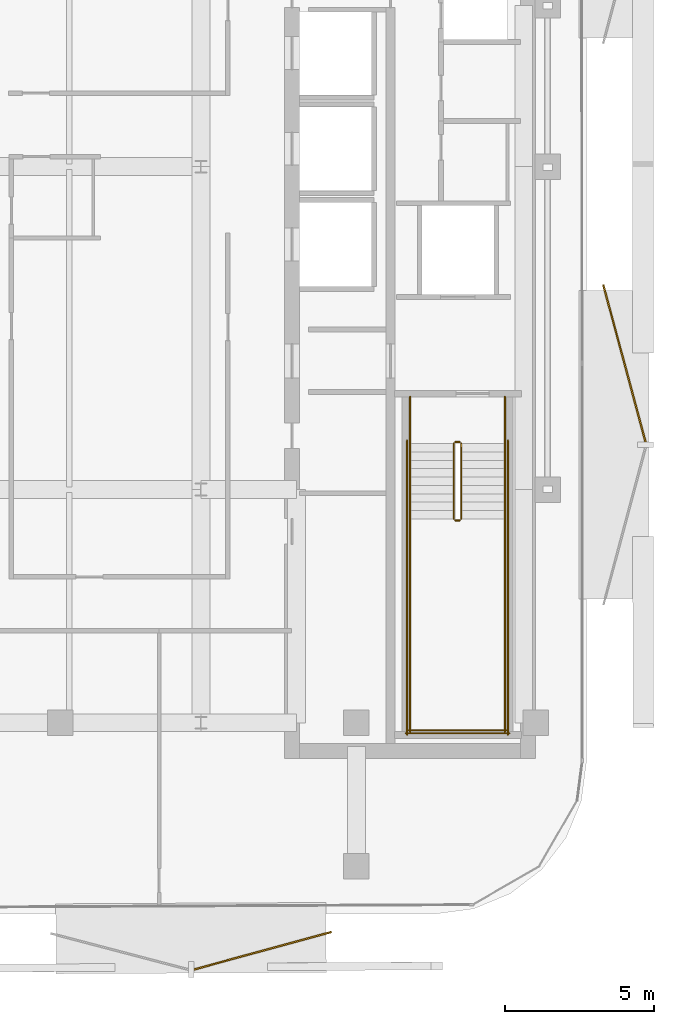
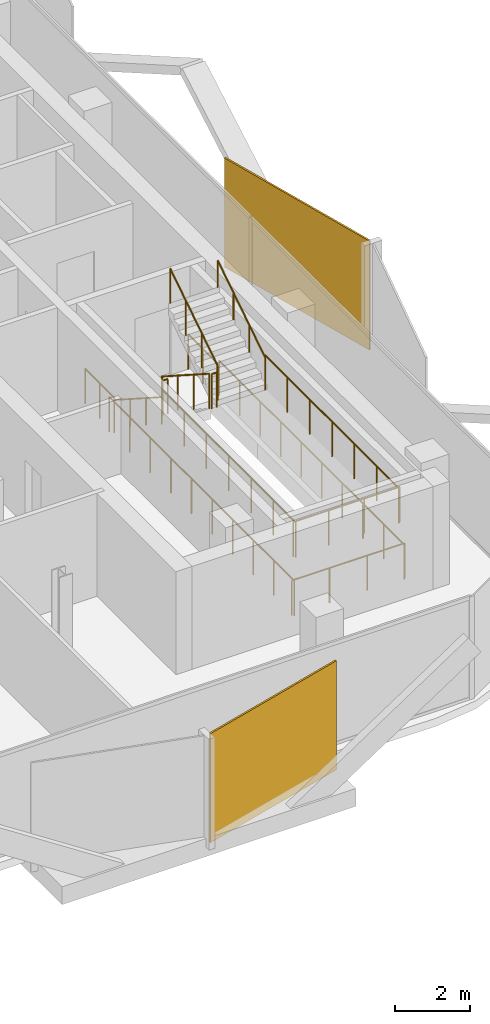
# One storey, part 13 of 14: 14 railings, 2 coverings.
"""IFC4 building model written with IfcOpenShell, lengths in metres."""

from ifc_helpers import new_model, si_unit, direction, frame, origin, origin_2d, place, context, subcontext, project, spatial, rectangle, circle, extrude, material, layer, layer_set, type_object, element, save


model = new_model("IFC4")

# Units and contexts
model_context = context("Model", 3, precision=1e-05, world=origin(), true_north=direction((0.0, 1.0)))
body_context = subcontext(model_context, "Body", "Model", "MODEL_VIEW")
ifc_project = project(units=[si_unit("LENGTHUNIT", "METRE"), si_unit("AREAUNIT", "SQUARE_METRE"), si_unit("VOLUMEUNIT", "CUBIC_METRE"), si_unit("PLANEANGLEUNIT", "RADIAN"), si_unit("MASSUNIT", "GRAM", prefix="KILO")], contexts=[model_context])

# Site, building, storey
site_placement = place(None, origin())
site = spatial("IfcSite", under=ifc_project, at=site_placement, CompositionType="ELEMENT")
building_placement = place(site_placement, origin())
building = spatial("IfcBuilding", under=site, at=building_placement, Name="Khairoan Windgate Tower", CompositionType="ELEMENT")
storey_placement = place(building_placement, frame((0.0, 0.0, 240.39990234375)))
storey = spatial("IfcBuildingStorey", under=building, at=storey_placement, Name="L56", CompositionType="ELEMENT", Elevation=240.39990234375)

# Coverings
ifc_material_1 = material(Name="Anodised Bronze Aluminium 6063-T6", Category="aluminium")
ifc_layer = layer(ifc_material_1, 0.054931640625, Name="Anodised Bronze Aluminium 6063-T6")
ifc_layer_set = layer_set([ifc_layer], Name="Anodised Bronze Aluminium 6063-T6")
covering_type = type_object("IfcCoveringType", Name="Perforated Bronze-Ceramic Folded Solar Screen Cladding BSC-1", PredefinedType="CLADDING", material=ifc_layer_set)
covering_1_placement = place(storey_placement, frame((11.264404296875, -26.226806640625, -0.099853515625), z_axis=(0.0, 0.0, 1.0), x_axis=(-0.964649468762, -0.263536339841, 0.0)))
element("IfcCovering", 1, at=covering_1_placement, inside=storey, type_object=covering_type, Name="L56 Folded Bronze Solar Screen Facet 377L", PredefinedType="CLADDING", context=body_context, shape_type="SweptSolid", body=[
    extrude(rectangle(XDim=4.76708984375, YDim=0.054931640625, at=origin_2d()), origin(), (0.0, 0.0, 1.0), 3.5400390625),
])
covering_2_placement = place(storey_placement, frame((23.36767578125, -6.580810546875, -0.099853515625), z_axis=(0.0, 0.0, 1.0), x_axis=(0.259324767181, -0.965790176553, 0.0)))
element("IfcCovering", 2, at=covering_2_placement, inside=storey, type_object=covering_type, Name="L56 Folded Bronze Solar Screen Facet 384L", PredefinedType="CLADDING", context=body_context, shape_type="SweptSolid", body=[
    extrude(rectangle(XDim=5.446044921875, YDim=0.054931640625, at=origin_2d()), origin(), (0.0, 0.0, 1.0), 3.5400390625),
])

# Railings
ifc_material_2 = material(Name="Anodised Bronze Aluminium 6063-T6", Category="aluminium")
railing_type_1 = type_object("IfcRailingType", Name="Stair Wall Handrail SHR-900", PredefinedType="HANDRAIL", material=ifc_material_2)
railing_1_placement = place(storey_placement, frame((16.199951171875, -9.260009765625, 0.18017578125)))
element("IfcRailing", 3, at=railing_1_placement, inside=storey, type_object=railing_type_1, Name="L56 ST1 stair handrail 1", PredefinedType="HANDRAIL", context=body_context, shape_type="SweptSolid", body=[
    extrude(circle(Radius=0.02392578125, at=origin_2d()), frame((0.0, 0.0, 0.8759765625), z_axis=(0.0, -0.841199657755, 0.540724639528), x_axis=(1.0, 0.0, 0.0)), (0.0, 0.0, 1.0), 2.995849609375),
    extrude(circle(Radius=0.02099609375, at=origin_2d()), origin(), (0.0, 0.0, 1.0), 0.851806640625),
    extrude(circle(Radius=0.02099609375, at=origin_2d()), frame((0.0, -0.840087890625, 0.5400390625)), (0.0, 0.0, 1.0), 0.851806640625),
    extrude(circle(Radius=0.02099609375, at=origin_2d()), frame((0.0, -1.679931640625, 1.079833984375)), (0.0, 0.0, 1.0), 0.851806640625),
    extrude(circle(Radius=0.02099609375, at=origin_2d()), frame((0.0, -2.52001953125, 1.619873046875)), (0.0, 0.0, 1.0), 0.851806640625),
])
railing_2_placement = place(storey_placement, frame((19.3701171875, -11.780029296875, 1.97998046875)))
element("IfcRailing", 4, at=railing_2_placement, inside=storey, type_object=railing_type_1, Name="L56 ST1 stair handrail 2", PredefinedType="HANDRAIL", context=body_context, shape_type="SweptSolid", body=[
    extrude(circle(Radius=0.02392578125, at=origin_2d()), frame((0.0, 0.0, 0.8759765625), z_axis=(0.0, 0.841162588446, 0.540782303519), x_axis=(-1.0, 0.0, 0.0)), (0.0, 0.0, 1.0), 2.995849609375),
    extrude(circle(Radius=0.02099609375, at=origin_2d()), origin(), (0.0, 0.0, 1.0), 0.851806640625),
    extrude(circle(Radius=0.02099609375, at=origin_2d()), frame((0.0, 0.840087890625, 0.5400390625)), (0.0, 0.0, 1.0), 0.851806640625),
    extrude(circle(Radius=0.02099609375, at=origin_2d()), frame((0.0, 1.679931640625, 1.080078125)), (0.0, 0.0, 1.0), 0.851806640625),
    extrude(circle(Radius=0.02099609375, at=origin_2d()), frame((0.0, 2.52001953125, 1.6201171875)), (0.0, 0.0, 1.0), 0.851806640625),
])
ifc_material_3 = material(Name="Steel S355", Category="steel")
railing_type_2 = type_object("IfcRailingType", Name="Stairwell Safety Guardrail SGR-1150", PredefinedType="GUARDRAIL", material=ifc_material_3)
railing_3_placement = place(storey_placement, frame((17.659912109375, -9.260009765625, 0.18017578125)))
element("IfcRailing", 5, at=railing_3_placement, inside=storey, type_object=railing_type_2, Name="L56 ST1 stair guard 1", PredefinedType="GUARDRAIL", context=body_context, shape_type="SweptSolid", body=[
    extrude(circle(Radius=0.02392578125, at=origin_2d()), frame((0.0, 0.0, 1.1259765625), z_axis=(0.0, -0.841199657755, 0.540724639528), x_axis=(1.0, 0.0, 0.0)), (0.0, 0.0, 1.0), 2.995849609375),
    extrude(circle(Radius=0.02099609375, at=origin_2d()), origin(), (0.0, 0.0, 1.0), 1.101806640625),
    extrude(circle(Radius=0.02099609375, at=origin_2d()), frame((0.0, -0.840087890625, 0.5400390625)), (0.0, 0.0, 1.0), 1.101806640625),
    extrude(circle(Radius=0.02099609375, at=origin_2d()), frame((0.0, -1.679931640625, 1.079833984375)), (0.0, 0.0, 1.0), 1.101806640625),
    extrude(circle(Radius=0.02099609375, at=origin_2d()), frame((0.0, -2.52001953125, 1.619873046875)), (0.0, 0.0, 1.0), 1.101806640625),
])
railing_4_placement = place(storey_placement, frame((17.7099609375, -11.830078125, 1.800048828125)))
element("IfcRailing", 6, at=railing_4_placement, inside=storey, type_object=railing_type_2, Name="L56 ST1 stair guard 2", PredefinedType="GUARDRAIL", context=body_context, shape_type="SweptSolid", body=[
    extrude(circle(Radius=0.02392578125, at=origin_2d()), frame((0.0, 0.0, 1.1259765625), z_axis=(1.0, 0.0, 0.0), x_axis=(0.0, 1.0, 0.0)), (0.0, 0.0, 1.0), 0.150146484375),
    extrude(circle(Radius=0.02099609375, at=origin_2d()), origin(), (0.0, 0.0, 1.0), 1.101806640625),
    extrude(circle(Radius=0.02099609375, at=origin_2d()), frame((0.150146484375, 0.0, 0.0)), (0.0, 0.0, 1.0), 1.101806640625),
])
for number, where, name in (
    (7, (16.199951171875, -11.780029296875, 1.800048828125), "L56 ST1 stair guard 3"),
    (8, (19.3701171875, -11.780029296875, 1.800048828125), "L56 ST1 stair guard 4"),
):
    element("IfcRailing", number, at=place(storey_placement, frame(where)), inside=storey, type_object=railing_type_2, Name=name, PredefinedType="GUARDRAIL", context=body_context, shape_type="SweptSolid", body=[
        extrude(circle(Radius=0.02392578125, at=origin_2d()), frame((0.0, 0.0, 1.1259765625), z_axis=(0.0, -1.0, 0.0), x_axis=(1.0, 0.0, 0.0)), (0.0, 0.0, 1.0), 7.119873046875),
        extrude(circle(Radius=0.02099609375, at=origin_2d()), origin(), (0.0, 0.0, 1.0), 1.101806640625),
        extrude(circle(Radius=0.02099609375, at=origin_2d()), frame((0.0, -1.1865234375, 0.0)), (0.0, 0.0, 1.0), 1.101806640625),
        extrude(circle(Radius=0.02099609375, at=origin_2d()), frame((0.0, -2.373291015625, 0.0)), (0.0, 0.0, 1.0), 1.101806640625),
        extrude(circle(Radius=0.02099609375, at=origin_2d()), frame((0.0, -3.56005859375, 0.0)), (0.0, 0.0, 1.0), 1.101806640625),
        extrude(circle(Radius=0.02099609375, at=origin_2d()), frame((0.0, -4.74658203125, 0.0)), (0.0, 0.0, 1.0), 1.101806640625),
        extrude(circle(Radius=0.02099609375, at=origin_2d()), frame((0.0, -5.93310546875, 0.0)), (0.0, 0.0, 1.0), 1.101806640625),
        extrude(circle(Radius=0.02099609375, at=origin_2d()), frame((0.0, -7.119873046875, 0.0)), (0.0, 0.0, 1.0), 1.101806640625),
    ])
railing_5_placement = place(storey_placement, frame((16.14990234375, -18.85009765625, 1.800048828125)))
element("IfcRailing", 9, at=railing_5_placement, inside=storey, type_object=railing_type_2, Name="L56 ST1 stair guard 5", PredefinedType="GUARDRAIL", context=body_context, shape_type="SweptSolid", body=[
    extrude(circle(Radius=0.02392578125, at=origin_2d()), frame((0.0, 0.0, 1.1259765625), z_axis=(1.0, 0.0, 0.0), x_axis=(0.0, 1.0, 0.0)), (0.0, 0.0, 1.0), 3.27001953125),
    extrude(circle(Radius=0.02099609375, at=origin_2d()), origin(), (0.0, 0.0, 1.0), 1.101806640625),
    extrude(circle(Radius=0.02099609375, at=origin_2d()), frame((1.090087890625, 0.0, 0.0)), (0.0, 0.0, 1.0), 1.101806640625),
    extrude(circle(Radius=0.02099609375, at=origin_2d()), frame((2.179931640625, 0.0, 0.0)), (0.0, 0.0, 1.0), 1.101806640625),
    extrude(circle(Radius=0.02099609375, at=origin_2d()), frame((3.27001953125, 0.0, 0.0)), (0.0, 0.0, 1.0), 1.101806640625),
])
railing_6_placement = place(storey_placement, frame((17.909912109375, -11.780029296875, 1.97998046875)))
element("IfcRailing", 10, at=railing_6_placement, inside=storey, type_object=railing_type_2, Name="L56 ST1 stair guard 6", PredefinedType="GUARDRAIL", context=body_context, shape_type="SweptSolid", body=[
    extrude(circle(Radius=0.02392578125, at=origin_2d()), frame((0.0, 0.0, 1.1259765625), z_axis=(0.0, 0.841162588446, 0.540782303519), x_axis=(-1.0, 0.0, 0.0)), (0.0, 0.0, 1.0), 2.995849609375),
    extrude(circle(Radius=0.02099609375, at=origin_2d()), origin(), (0.0, 0.0, 1.0), 1.101806640625),
    extrude(circle(Radius=0.02099609375, at=origin_2d()), frame((0.0, 0.840087890625, 0.5400390625)), (0.0, 0.0, 1.0), 1.101806640625),
    extrude(circle(Radius=0.02099609375, at=origin_2d()), frame((0.0, 1.679931640625, 1.080078125)), (0.0, 0.0, 1.0), 1.101806640625),
    extrude(circle(Radius=0.02099609375, at=origin_2d()), frame((0.0, 2.52001953125, 1.6201171875)), (0.0, 0.0, 1.0), 1.101806640625),
])
railing_7_placement = place(storey_placement, frame((17.7099609375, -9.2099609375, 0.0)))
element("IfcRailing", 11, at=railing_7_placement, inside=storey, type_object=railing_type_2, Name="L56 ST1 stair guard 7", PredefinedType="GUARDRAIL", context=body_context, shape_type="SweptSolid", body=[
    extrude(circle(Radius=0.02392578125, at=origin_2d()), frame((0.0, 0.0, 1.1259765625), z_axis=(1.0, 0.0, 0.0), x_axis=(0.0, 1.0, 0.0)), (0.0, 0.0, 1.0), 0.150146484375),
    extrude(circle(Radius=0.02099609375, at=origin_2d()), origin(), (0.0, 0.0, 1.0), 1.101806640625),
    extrude(circle(Radius=0.02099609375, at=origin_2d()), frame((0.150146484375, 0.0, 0.0)), (0.0, 0.0, 1.0), 1.101806640625),
])
for number, where, name in (
    (12, (16.199951171875, -7.699951171875, 0.0), "L56 ST1 stair guard 8"),
    (13, (19.3701171875, -7.699951171875, 0.0), "L56 ST1 stair guard 9"),
):
    element("IfcRailing", number, at=place(storey_placement, frame(where)), inside=storey, type_object=railing_type_2, Name=name, PredefinedType="GUARDRAIL", context=body_context, shape_type="SweptSolid", body=[
        extrude(circle(Radius=0.02392578125, at=origin_2d()), frame((0.0, 0.0, 1.1259765625), z_axis=(0.0, -1.0, 0.0), x_axis=(1.0, 0.0, 0.0)), (0.0, 0.0, 1.0), 1.56005859375),
        extrude(circle(Radius=0.02099609375, at=origin_2d()), origin(), (0.0, 0.0, 1.0), 1.101806640625),
        extrude(circle(Radius=0.02099609375, at=origin_2d()), frame((0.0, -0.780029296875, 0.0)), (0.0, 0.0, 1.0), 1.101806640625),
        extrude(circle(Radius=0.02099609375, at=origin_2d()), frame((0.0, -1.56005859375, 0.0)), (0.0, 0.0, 1.0), 1.101806640625),
    ])
for number, where, name in (
    (14, (16.10009765625, -9.159912109375, 0.0), "L56 ST1 stair guard 10"),
    (15, (19.469970703125, -9.159912109375, 0.0), "L56 ST1 stair guard 11"),
):
    element("IfcRailing", number, at=place(storey_placement, frame(where)), inside=storey, type_object=railing_type_2, Name=name, PredefinedType="GUARDRAIL", context=body_context, shape_type="SweptSolid", body=[
        extrude(circle(Radius=0.02392578125, at=origin_2d()), frame((0.0, 0.0, 1.1259765625), z_axis=(0.0, -1.0, 0.0), x_axis=(1.0, 0.0, 0.0)), (0.0, 0.0, 1.0), 9.840087890625),
        extrude(circle(Radius=0.02099609375, at=origin_2d()), origin(), (0.0, 0.0, 1.0), 1.101806640625),
        extrude(circle(Radius=0.02099609375, at=origin_2d()), frame((0.0, -1.09326171875, 0.0)), (0.0, 0.0, 1.0), 1.101806640625),
        extrude(circle(Radius=0.02099609375, at=origin_2d()), frame((0.0, -2.186767578125, 0.0)), (0.0, 0.0, 1.0), 1.101806640625),
        extrude(circle(Radius=0.02099609375, at=origin_2d()), frame((0.0, -3.280029296875, 0.0)), (0.0, 0.0, 1.0), 1.101806640625),
        extrude(circle(Radius=0.02099609375, at=origin_2d()), frame((0.0, -4.373291015625, 0.0)), (0.0, 0.0, 1.0), 1.101806640625),
        extrude(circle(Radius=0.02099609375, at=origin_2d()), frame((0.0, -5.466796875, 0.0)), (0.0, 0.0, 1.0), 1.101806640625),
        extrude(circle(Radius=0.02099609375, at=origin_2d()), frame((0.0, -6.56005859375, 0.0)), (0.0, 0.0, 1.0), 1.101806640625),
        extrude(circle(Radius=0.02099609375, at=origin_2d()), frame((0.0, -7.6533203125, 0.0)), (0.0, 0.0, 1.0), 1.101806640625),
        extrude(circle(Radius=0.02099609375, at=origin_2d()), frame((0.0, -8.746826171875, 0.0)), (0.0, 0.0, 1.0), 1.101806640625),
        extrude(circle(Radius=0.02099609375, at=origin_2d()), frame((0.0, -9.840087890625, 0.0)), (0.0, 0.0, 1.0), 1.101806640625),
    ])
railing_8_placement = place(storey_placement, frame((16.050048828125, -18.949951171875, 0.0)))
element("IfcRailing", 16, at=railing_8_placement, inside=storey, type_object=railing_type_2, Name="L56 ST1 stair guard 12", PredefinedType="GUARDRAIL", context=body_context, shape_type="SweptSolid", body=[
    extrude(circle(Radius=0.02392578125, at=origin_2d()), frame((0.0, 0.0, 1.1259765625), z_axis=(1.0, 0.0, 0.0), x_axis=(0.0, 1.0, 0.0)), (0.0, 0.0, 1.0), 3.469970703125),
    extrude(circle(Radius=0.02099609375, at=origin_2d()), origin(), (0.0, 0.0, 1.0), 1.101806640625),
    extrude(circle(Radius=0.02099609375, at=origin_2d()), frame((1.15673828125, 0.0, 0.0)), (0.0, 0.0, 1.0), 1.101806640625),
    extrude(circle(Radius=0.02099609375, at=origin_2d()), frame((2.313232421875, 0.0, 0.0)), (0.0, 0.0, 1.0), 1.101806640625),
    extrude(circle(Radius=0.02099609375, at=origin_2d()), frame((3.469970703125, 0.0, 0.0)), (0.0, 0.0, 1.0), 1.101806640625),
])

save(model, "model.ifc")
